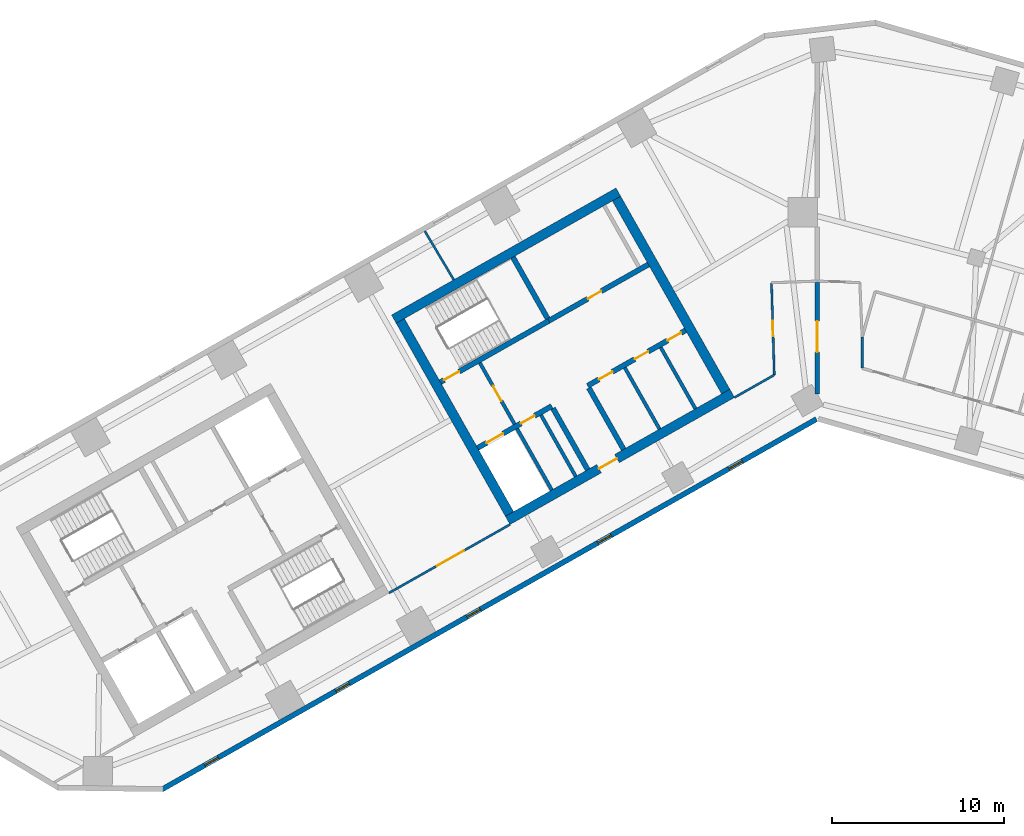
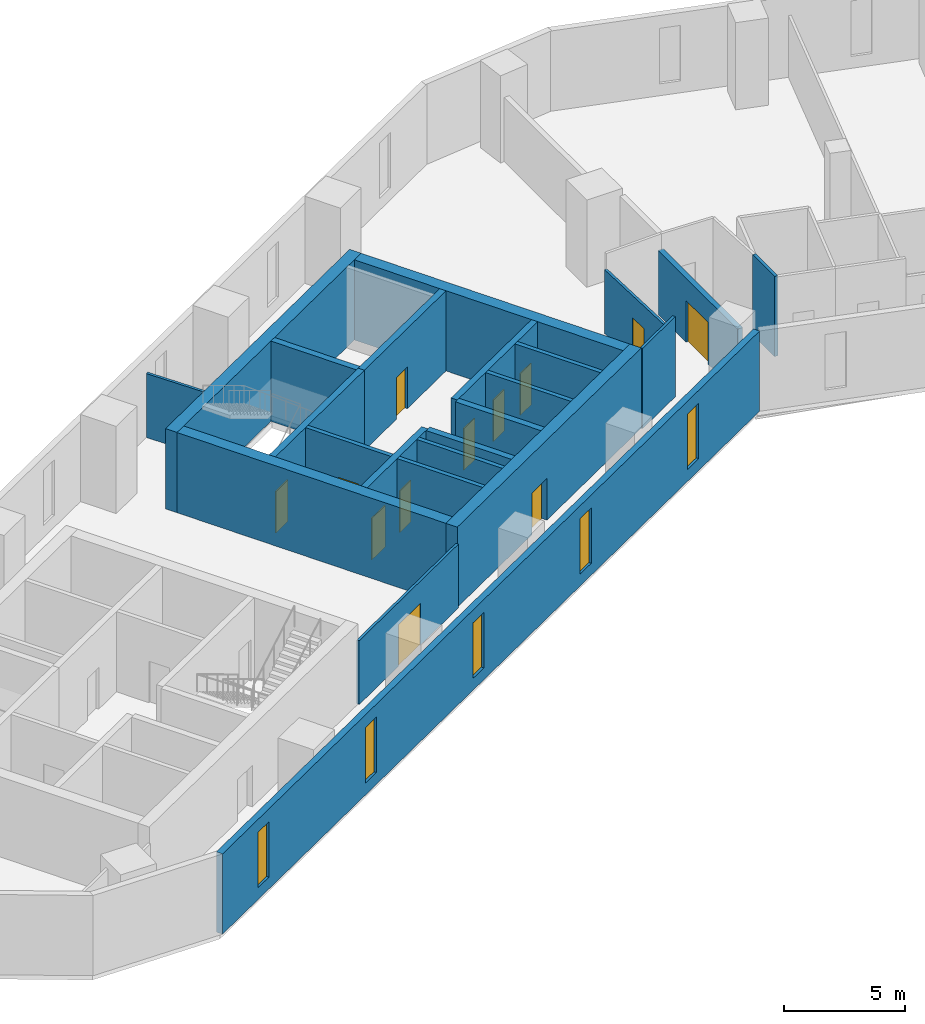
# One storey, part 4 of 10: 23 walls, 12 doors, 5 windows, 17 openings.
"""IFC4 building model written with IfcOpenShell, lengths in metres."""

from ifc_helpers import new_model, si_unit, direction, frame, frame_2d, origin, place, context, subcontext, project, spatial, rectangle, extrude, material, layer, layer_set, type_object, element, fill, save


model = new_model("IFC4")

# Units and contexts
model_context = context("Model", 3, precision=1e-05, world=origin(), true_north=direction((0.0, 1.0)))
body_context = subcontext(model_context, "Body", "Model", "MODEL_VIEW")
ifc_project = project(units=[si_unit("LENGTHUNIT", "METRE"), si_unit("AREAUNIT", "SQUARE_METRE"), si_unit("VOLUMEUNIT", "CUBIC_METRE"), si_unit("PLANEANGLEUNIT", "RADIAN"), si_unit("MASSUNIT", "GRAM", prefix="KILO")], contexts=[model_context])

# Site, building, storey
site_placement = place(None, origin())
site = spatial("IfcSite", under=ifc_project, at=site_placement, CompositionType="ELEMENT")
building_placement = place(site_placement, origin())
building = spatial("IfcBuilding", under=site, at=building_placement, Name="Binnacle Exchange Tower", CompositionType="ELEMENT")
storey_placement = place(building_placement, frame((0.0, 0.0, 145.5)))
storey = spatial("IfcBuildingStorey", under=building, at=storey_placement, Name="L30", CompositionType="ELEMENT", Elevation=145.5)

# Walls
ifc_material_1 = material(Name="Gypsum partition fire rated")
ifc_layer_1 = layer(ifc_material_1, 0.199951171875)
ifc_layer_set_1 = layer_set([ifc_layer_1], Name="Core partition 200")
wall_type_1 = type_object("IfcWallType", Name="Core partition 200", PredefinedType="PARTITIONING", material=ifc_layer_set_1)
wall_1_placement = place(storey_placement, frame((-11.201904296875, 50.96240234375, 0.0), z_axis=(0.0, 0.0, 1.0), x_axis=(0.492428039142, -0.870353161807, 0.0)))
element("IfcWall", 1, at=wall_1_placement, inside=storey, type_object=wall_type_1, Name="Core wall CRWC19", PredefinedType="PARTITIONING", context=body_context, shape_type="SweptSolid", body=[
    extrude(rectangle(XDim=4.10009765625, YDim=0.199951171875, at=frame_2d((2.050048828125, 0.0))), origin(), (0.0, 0.0, 1.0), 4.050048828125),
])
wall_2_placement = place(storey_placement, frame((-9.11279296875, 52.14404296875, 0.0), z_axis=(0.0, 0.0, 1.0), x_axis=(0.492408451753, -0.87036424366, 0.0)))
element("IfcWall", 2, at=wall_2_placement, inside=storey, type_object=wall_type_1, Name="Core wall CRWC22", PredefinedType="PARTITIONING", context=body_context, shape_type="SweptSolid", body=[
    extrude(rectangle(XDim=4.099853515625, YDim=0.199951171875, at=frame_2d((2.0498046875, 0.0))), origin(), (0.0, 0.0, 1.0), 4.050048828125),
])

# Wall, openings, doors
ifc_material_2 = material(Name="Concrete C70/85", Category="concrete")
ifc_layer_2 = layer(ifc_material_2, 0.300048828125)
ifc_layer_set_2 = layer_set([ifc_layer_2], Name="Core wall - front 300")
wall_type_2 = type_object("IfcWallType", Name="Core wall - front 300", PredefinedType="SOLIDWALL", material=ifc_layer_set_2)
wall_3_placement = place(storey_placement, frame((-19.76171875, 46.291748046875, 0.0), z_axis=(0.0, 0.0, 1.0), x_axis=(0.870359758983, 0.49241637863, 0.0)))
wall_3 = element("IfcWall", 3, at=wall_3_placement, inside=storey, type_object=wall_type_2, Name="Core wall CRWC2", PredefinedType="SOLIDWALL", context=body_context, shape_type="SweptSolid", body=[
    extrude(rectangle(XDim=4.9501953125, YDim=0.300048828125, at=frame_2d((2.47509765625, 0.0))), origin(), (0.0, 0.0, 1.0), 4.050048828125),
])
opening_1_placement = place(wall_3_placement, frame((0.60009765625, 0.0, 0.0)))
opening_1 = element("IfcOpeningElement", 4, at=opening_1_placement, cuts=wall_3, Name="Opening LD14", PredefinedType="OPENING", context=body_context, shape_type="SweptSolid", body=[
    extrude(rectangle(XDim=1.10009765625, YDim=2.10009765625, at=frame_2d((0.550048828125, 1.050048828125))), frame((0.0, 0.159912109375, 0.0), z_axis=(0.0, -1.0, 0.0), x_axis=(1.0, 0.0, 0.0)), (0.0, 0.0, 1.0), 0.320068359375),
])
opening_2_placement = place(wall_3_placement, frame((2.89990234375, 0.0, 0.0)))
opening_2 = element("IfcOpeningElement", 5, at=opening_2_placement, cuts=wall_3, Name="Opening DC14", PredefinedType="OPENING", context=body_context, shape_type="SweptSolid", body=[
    extrude(rectangle(XDim=0.89990234375, YDim=2.10009765625, at=frame_2d((0.449951171875, 1.050048828125))), frame((0.0, 0.159912109375, 0.0), z_axis=(0.0, -1.0, 0.0), x_axis=(1.0, 0.0, 0.0)), (0.0, 0.0, 1.0), 0.320068359375),
])
ifc_material_3 = material(Name="Steel door leaf", Category="steel")
door_type_1 = type_object("IfcDoorType", Name="Fire door - lift landing 1100", OperationType="NOTDEFINED", PredefinedType="DOOR", material=ifc_material_3)
door_1_placement = place(opening_1_placement, origin())
door_1 = element("IfcDoor", 6, at=door_1_placement, inside=storey, type_object=door_type_1, Name="Landing door LD14 L30", OperationType="DOUBLE_DOOR_SLIDING", OverallHeight=2.10009765625, OverallWidth=1.10009765625, PredefinedType="DOOR", context=body_context, shape_type="SweptSolid", body=[
    extrude(rectangle(XDim=1.10009765625, YDim=2.10009765625, at=frame_2d((0.550048828125, 1.050048828125))), frame((0.0, 0.02490234375, 0.0), z_axis=(0.0, -1.0, 0.0), x_axis=(1.0, 0.0, 0.0)), (0.0, 0.0, 1.0), 0.050048828125),
])
fill(opening_1, door_1)
door_type_2 = type_object("IfcDoorType", Name="Fire door 900", OperationType="NOTDEFINED", PredefinedType="DOOR", material=ifc_material_3)
door_2_placement = place(opening_2_placement, frame((0.89990234375, 0.0, 0.0), z_axis=(0.0, 0.0, 1.0), x_axis=(-1.0, 0.0, 0.0)))
door_2 = element("IfcDoor", 7, at=door_2_placement, inside=storey, type_object=door_type_2, Name="Core room door ELECTRICAL ROOM", OperationType="SINGLE_SWING_LEFT", OverallHeight=2.10009765625, OverallWidth=0.89990234375, PredefinedType="DOOR", context=body_context, shape_type="SweptSolid", body=[
    extrude(rectangle(XDim=0.89990234375, YDim=2.10009765625, at=frame_2d((0.449951171875, 1.050048828125))), frame((0.0, 0.02490234375, 0.0), z_axis=(0.0, -1.0, 0.0), x_axis=(1.0, 0.0, 0.0)), (0.0, 0.0, 1.0), 0.050048828125),
])
fill(opening_2, door_2)

wall_4_placement = place(storey_placement, frame((-13.364501953125, 49.910888671875, 0.0), z_axis=(0.0, 0.0, 1.0), x_axis=(0.870336435567, 0.492457601144, 0.0)))
wall_4 = element("IfcWall", 8, at=wall_4_placement, inside=storey, type_object=wall_type_2, Name="Core wall CRWC3", PredefinedType="SOLIDWALL", context=body_context, shape_type="SweptSolid", body=[
    extrude(rectangle(XDim=6.550048828125, YDim=0.300048828125, at=frame_2d((3.27490234375, 0.0))), origin(), (0.0, 0.0, 1.0), 4.050048828125),
])
opening_3_placement = place(wall_4_placement, frame((0.75, 0.0, 0.0)))
opening_3 = element("IfcOpeningElement", 9, at=opening_3_placement, cuts=wall_4, Name="Opening DC18", PredefinedType="OPENING", context=body_context, shape_type="SweptSolid", body=[
    extrude(rectangle(XDim=0.89990234375, YDim=2.10009765625, at=frame_2d((0.449951171875, 1.050048828125))), frame((0.0, 0.159912109375, 0.0), z_axis=(0.0, -1.0, 0.0), x_axis=(1.0, 0.0, 0.0)), (0.0, 0.0, 1.0), 0.320068359375),
])
opening_4_placement = place(wall_4_placement, frame((3.14990234375, 0.0, 0.0)))
opening_4 = element("IfcOpeningElement", 10, at=opening_4_placement, cuts=wall_4, Name="Opening DC19", PredefinedType="OPENING", context=body_context, shape_type="SweptSolid", body=[
    extrude(rectangle(XDim=0.89990234375, YDim=2.10009765625, at=frame_2d((0.449951171875, 1.050048828125))), frame((0.0, 0.159912109375, 0.0), z_axis=(0.0, -1.0, 0.0), x_axis=(1.0, 0.0, 0.0)), (0.0, 0.0, 1.0), 0.320068359375),
])
opening_5_placement = place(wall_4_placement, frame((5.35009765625, 0.0, 0.0)))
opening_5 = element("IfcOpeningElement", 11, at=opening_5_placement, cuts=wall_4, Name="Opening DC20", PredefinedType="OPENING", context=body_context, shape_type="SweptSolid", body=[
    extrude(rectangle(XDim=0.89990234375, YDim=2.10009765625, at=frame_2d((0.449951171875, 1.050048828125))), frame((0.0, 0.159912109375, 0.0), z_axis=(0.0, -1.0, 0.0), x_axis=(1.0, 0.0, 0.0)), (0.0, 0.0, 1.0), 0.320068359375),
])
door_3_placement = place(opening_3_placement, frame((0.89990234375, 0.0, 0.0), z_axis=(0.0, 0.0, 1.0), x_axis=(-1.0, 0.0, 0.0)))
door_3 = element("IfcDoor", 12, at=door_3_placement, inside=storey, type_object=door_type_2, Name="Core room door COMMS RISER ROOM", OperationType="SINGLE_SWING_RIGHT", OverallHeight=2.10009765625, OverallWidth=0.89990234375, PredefinedType="DOOR", context=body_context, shape_type="SweptSolid", body=[
    extrude(rectangle(XDim=0.89990234375, YDim=2.10009765625, at=frame_2d((0.449951171875, 1.050048828125))), frame((0.0, 0.02490234375, 0.0), z_axis=(0.0, -1.0, 0.0), x_axis=(1.0, 0.0, 0.0)), (0.0, 0.0, 1.0), 0.050048828125),
])
fill(opening_3, door_3)
door_4_placement = place(opening_4_placement, frame((0.89990234375, 0.0, 0.0), z_axis=(0.0, 0.0, 1.0), x_axis=(-1.0, 0.0, 0.0)))
door_4 = element("IfcDoor", 13, at=door_4_placement, inside=storey, type_object=door_type_2, Name="Core room door CLEANERS STORE", OperationType="SINGLE_SWING_LEFT", OverallHeight=2.10009765625, OverallWidth=0.89990234375, PredefinedType="DOOR", context=body_context, shape_type="SweptSolid", body=[
    extrude(rectangle(XDim=0.89990234375, YDim=2.10009765625, at=frame_2d((0.449951171875, 1.050048828125))), frame((0.0, 0.02490234375, 0.0), z_axis=(0.0, -1.0, 0.0), x_axis=(1.0, 0.0, 0.0)), (0.0, 0.0, 1.0), 0.050048828125),
])
fill(opening_4, door_4)
door_5_placement = place(opening_5_placement, frame((0.89990234375, 0.0, 0.0), z_axis=(0.0, 0.0, 1.0), x_axis=(-1.0, 0.0, 0.0)))
door_5 = element("IfcDoor", 14, at=door_5_placement, inside=storey, type_object=door_type_2, Name="Core room door IT STORE", OperationType="SINGLE_SWING_LEFT", OverallHeight=2.10009765625, OverallWidth=0.89990234375, PredefinedType="DOOR", context=body_context, shape_type="SweptSolid", body=[
    extrude(rectangle(XDim=0.89990234375, YDim=2.10009765625, at=frame_2d((0.449951171875, 1.050048828125))), frame((0.0, 0.02490234375, 0.0), z_axis=(0.0, -1.0, 0.0), x_axis=(1.0, 0.0, 0.0)), (0.0, 0.0, 1.0), 0.050048828125),
])
fill(opening_5, door_5)

# Wall, opening, door
wall_5_placement = place(storey_placement, frame((-15.6181640625, 53.69140625, 0.0), z_axis=(0.0, 0.0, 1.0), x_axis=(0.870367894134, 0.492401999246, 0.0)))
wall_5 = element("IfcWall", 15, at=wall_5_placement, inside=storey, type_object=wall_type_2, Name="Core wall CRWC5", PredefinedType="SOLIDWALL", context=body_context, shape_type="SweptSolid", body=[
    extrude(rectangle(XDim=6.64990234375, YDim=0.300048828125, at=frame_2d((3.324951171875, 0.0))), origin(), (0.0, 0.0, 1.0), 4.050048828125),
])
opening_6_placement = place(wall_5_placement, frame((2.60009765625, 0.0, 0.0)))
opening_6 = element("IfcOpeningElement", 16, at=opening_6_placement, cuts=wall_5, Name="Opening DC10", PredefinedType="OPENING", context=body_context, shape_type="SweptSolid", body=[
    extrude(rectangle(XDim=0.89990234375, YDim=2.10009765625, at=frame_2d((0.449951171875, 1.050048828125))), frame((0.0, 0.159912109375, 0.0), z_axis=(0.0, -1.0, 0.0), x_axis=(1.0, 0.0, 0.0)), (0.0, 0.0, 1.0), 0.320068359375),
])
door_6_placement = place(opening_6_placement, origin())
door_6 = element("IfcDoor", 17, at=door_6_placement, inside=storey, type_object=door_type_2, Name="Core room door SPARES STORE", OperationType="SINGLE_SWING_LEFT", OverallHeight=2.10009765625, OverallWidth=0.89990234375, PredefinedType="DOOR", context=body_context, shape_type="SweptSolid", body=[
    extrude(rectangle(XDim=0.89990234375, YDim=2.10009765625, at=frame_2d((0.449951171875, 1.050048828125))), frame((0.0, 0.02490234375, 0.0), z_axis=(0.0, -1.0, 0.0), x_axis=(1.0, 0.0, 0.0)), (0.0, 0.0, 1.0), 0.050048828125),
])
fill(opening_6, door_6)

# Walls
wall_6_placement = place(storey_placement, frame((-15.37939453125, 48.5986328125, 0.0), z_axis=(0.0, 0.0, 1.0), x_axis=(0.492408451753, -0.87036424366, 0.0)))
element("IfcWall", 18, at=wall_6_placement, inside=storey, type_object=wall_type_2, Name="Core wall CRWC13", PredefinedType="SOLIDWALL", context=body_context, shape_type="SweptSolid", body=[
    extrude(rectangle(XDim=4.099853515625, YDim=0.300048828125, at=frame_2d((2.0498046875, 0.0))), origin(), (0.0, 0.0, 1.0), 4.050048828125),
])
wall_7_placement = place(storey_placement, frame((-13.29052734375, 49.780517578125, 0.0), z_axis=(0.0, 0.0, 1.0), x_axis=(0.492382931784, -0.870378681085, 0.0)))
element("IfcWall", 19, at=wall_7_placement, inside=storey, type_object=wall_type_2, Name="Core wall CRWC15", PredefinedType="SOLIDWALL", context=body_context, shape_type="SweptSolid", body=[
    extrude(rectangle(XDim=4.10009765625, YDim=0.300048828125, at=frame_2d((2.050048828125, 0.0))), origin(), (0.0, 0.0, 1.0), 4.050048828125),
])

# Wall, opening, door
ifc_layer_3 = layer(ifc_material_2, 0.550048828125)
ifc_layer_set_3 = layer_set([ifc_layer_3], Name="Core wall - outer 550")
wall_type_3 = type_object("IfcWallType", Name="Core wall - outer 550", PredefinedType="SOLIDWALL", material=ifc_layer_set_3)
wall_8_placement = place(storey_placement, frame((-18.01220703125, 42.08251953125, 0.0), z_axis=(0.0, 0.0, 1.0), x_axis=(0.870360574057, 0.492414937962, 0.0)))
wall_8 = element("IfcWall", 20, at=wall_8_placement, inside=storey, type_object=wall_type_3, Name="Core wall CRWC1", PredefinedType="SOLIDWALL", context=body_context, shape_type="SweptSolid", body=[
    extrude(rectangle(XDim=15.0, YDim=0.550048828125, at=frame_2d((7.5, 0.0))), origin(), (0.0, 0.0, 1.0), 4.050048828125),
])
opening_7_placement = place(wall_8_placement, frame((6.10009765625, 0.0, 0.0)))
opening_7 = element("IfcOpeningElement", 21, at=opening_7_placement, cuts=wall_8, Name="Opening DC7", PredefinedType="OPENING", context=body_context, shape_type="SweptSolid", body=[
    extrude(rectangle(XDim=1.199951171875, YDim=2.10009765625, at=frame_2d((0.60009765625, 1.050048828125))), frame((0.0, 0.284912109375, 0.0), z_axis=(0.0, -1.0, 0.0), x_axis=(1.0, 0.0, 0.0)), (0.0, 0.0, 1.0), 0.570068359375),
])
door_type_3 = type_object("IfcDoorType", Name="Fire door 1200", OperationType="NOTDEFINED", PredefinedType="DOOR", material=ifc_material_3)
door_7_placement = place(opening_7_placement, frame((1.199951171875, 0.0, 0.0), z_axis=(0.0, 0.0, 1.0), x_axis=(-1.0, 0.0, 0.0)))
door_7 = element("IfcDoor", 22, at=door_7_placement, inside=storey, type_object=door_type_3, Name="Lift lobby entrance door core C", OperationType="SINGLE_SWING_RIGHT", OverallHeight=2.10009765625, OverallWidth=1.199951171875, PredefinedType="DOOR", context=body_context, shape_type="SweptSolid", body=[
    extrude(rectangle(XDim=1.199951171875, YDim=2.10009765625, at=frame_2d((0.60009765625, 1.050048828125))), frame((0.0, 0.02490234375, 0.0), z_axis=(0.0, -1.0, 0.0), x_axis=(1.0, 0.0, 0.0)), (0.0, 0.0, 1.0), 0.050048828125),
])
fill(opening_7, door_7)

# Walls
wall_9_placement = place(storey_placement, frame((-24.63525390625, 53.788818359375, 0.0), z_axis=(0.0, 0.0, 1.0), x_axis=(0.870360574057, 0.492414937962, 0.0)))
element("IfcWall", 23, at=wall_9_placement, inside=storey, type_object=wall_type_3, Name="Core wall CRWC6", PredefinedType="SOLIDWALL", context=body_context, shape_type="SweptSolid", body=[
    extrude(rectangle(XDim=15.0, YDim=0.550048828125, at=frame_2d((7.5, 0.0))), origin(), (0.0, 0.0, 1.0), 4.050048828125),
])
for number, where, z_axis, x_axis, name in (
    (24, (-24.260498046875, 53.684814453125, 0.0), (0.0, 0.0, 1.0), (0.492427022044, -0.870353737259, 0.0), "Core wall CRWC7"),
    (25, (-11.683837890625, 60.80029296875, 0.0), (0.0, 0.0, 1.0), (0.492427022044, -0.870353737259, 0.0), "Core wall CRWC24"),
):
    element("IfcWall", number, at=place(storey_placement, frame(where, z_axis=z_axis, x_axis=x_axis)), inside=storey, type_object=wall_type_3, Name=name, PredefinedType="SOLIDWALL", context=body_context, shape_type="SweptSolid", body=[
        extrude(rectangle(XDim=12.89990234375, YDim=0.550048828125, at=frame_2d((6.449951171875, 0.0))), origin(), (0.0, 0.0, 1.0), 4.050048828125),
    ])

# Wall, opening, door
ifc_layer_4 = layer(ifc_material_2, 0.300048828125)
ifc_layer_set_4 = layer_set([ifc_layer_4], Name="Core wall - stair 300")
wall_type_4 = type_object("IfcWallType", Name="Core wall - stair 300", PredefinedType="SOLIDWALL", material=ifc_layer_set_4)
wall_10_placement = place(storey_placement, frame((-21.92822265625, 50.12109375, 0.0), z_axis=(0.0, 0.0, 1.0), x_axis=(0.870340732628, 0.49245000673, 0.0)))
wall_10 = element("IfcWall", 26, at=wall_10_placement, inside=storey, type_object=wall_type_4, Name="Core wall CRWC4", PredefinedType="SOLIDWALL", context=body_context, shape_type="SweptSolid", body=[
    extrude(rectangle(XDim=7.25, YDim=0.300048828125, at=frame_2d((3.625, 0.0))), origin(), (0.0, 0.0, 1.0), 4.050048828125),
])
opening_8_placement = place(wall_10_placement, frame((0.25, 0.0, 0.0)))
opening_8 = element("IfcOpeningElement", 27, at=opening_8_placement, cuts=wall_10, Name="Opening DC1", PredefinedType="OPENING", context=body_context, shape_type="SweptSolid", body=[
    extrude(rectangle(XDim=1.0, YDim=2.10009765625, at=frame_2d((0.5, 1.050048828125))), frame((0.0, 0.159912109375, 0.0), z_axis=(0.0, -1.0, 0.0), x_axis=(1.0, 0.0, 0.0)), (0.0, 0.0, 1.0), 0.320068359375),
])
door_type_4 = type_object("IfcDoorType", Name="Fire door 1000", OperationType="NOTDEFINED", PredefinedType="DOOR", material=ifc_material_3)
door_8_placement = place(opening_8_placement, origin())
door_8 = element("IfcDoor", 28, at=door_8_placement, inside=storey, type_object=door_type_4, Name="Stair door ST-C1", OperationType="SINGLE_SWING_LEFT", OverallHeight=2.10009765625, OverallWidth=1.0, PredefinedType="DOOR", context=body_context, shape_type="SweptSolid", body=[
    extrude(rectangle(XDim=1.0, YDim=2.10009765625, at=frame_2d((0.5, 1.050048828125))), frame((0.0, 0.02490234375, 0.0), z_axis=(0.0, -1.0, 0.0), x_axis=(1.0, 0.0, 0.0)), (0.0, 0.0, 1.0), 0.050048828125),
])
fill(opening_8, door_8)

# Wall
wall_11_placement = place(storey_placement, frame((-17.7109375, 57.390380859375, 0.0), z_axis=(0.0, 0.0, 1.0), x_axis=(0.492408451753, -0.87036424366, 0.0)))
element("IfcWall", 29, at=wall_11_placement, inside=storey, type_object=wall_type_4, Name="Core wall CRWC14", PredefinedType="SOLIDWALL", context=body_context, shape_type="SweptSolid", body=[
    extrude(rectangle(XDim=4.099853515625, YDim=0.300048828125, at=frame_2d((2.0498046875, 0.0))), origin(), (0.0, 0.0, 1.0), 4.050048828125),
])

# Wall, openings, windows
ifc_material_4 = material(Name="Bronze aluminium cladding", Category="aluminium")
ifc_layer_5 = layer(ifc_material_4, 0.300048828125)
ifc_layer_set_5 = layer_set([ifc_layer_5], Name="External wall - spandrel 300")
wall_type_5 = type_object("IfcWallType", Name="External wall - spandrel 300", PredefinedType="STANDARD", material=ifc_layer_set_5)
wall_12_placement = place(storey_placement, frame((-0.0546875, 47.968994140625, 0.0), z_axis=(0.0, 0.0, 1.0), x_axis=(-0.870355730478, -0.492423499058, 0.0)))
wall_12 = element("IfcWall", 30, at=wall_12_placement, inside=storey, type_object=wall_type_5, Name="External wall EW-F07 L30", PredefinedType="STANDARD", context=body_context, shape_type="SweptSolid", body=[
    extrude(rectangle(XDim=43.750244140625, YDim=0.300048828125, at=frame_2d((21.875, 0.0))), origin(), (0.0, 0.0, 1.0), 4.050048828125),
])
opening_9_placement = place(wall_12_placement, frame((39.976806640625, 0.0, 0.60009765625)))
opening_9 = element("IfcOpeningElement", 31, at=opening_9_placement, cuts=wall_12, Name="Opening WS2", PredefinedType="OPENING", context=body_context, shape_type="SweptSolid", body=[
    extrude(rectangle(XDim=0.89990234375, YDim=2.800048828125, at=frame_2d((0.449951171875, 1.39990234375))), frame((0.0, 0.159912109375, 0.0), z_axis=(0.0, -1.0, 0.0), x_axis=(1.0, 0.0, 0.0)), (0.0, 0.0, 1.0), 0.320068359375),
])
opening_10_placement = place(wall_12_placement, frame((31.222412109375, 0.0, 0.60009765625)))
opening_10 = element("IfcOpeningElement", 32, at=opening_10_placement, cuts=wall_12, Name="Opening WS2", PredefinedType="OPENING", context=body_context, shape_type="SweptSolid", body=[
    extrude(rectangle(XDim=0.89990234375, YDim=2.800048828125, at=frame_2d((0.449951171875, 1.39990234375))), frame((0.0, 0.159912109375, 0.0), z_axis=(0.0, -1.0, 0.0), x_axis=(1.0, 0.0, 0.0)), (0.0, 0.0, 1.0), 0.320068359375),
])
opening_11_placement = place(wall_12_placement, frame((22.4677734375, 0.0, 0.60009765625)))
opening_11 = element("IfcOpeningElement", 33, at=opening_11_placement, cuts=wall_12, Name="Opening WS2", PredefinedType="OPENING", context=body_context, shape_type="SweptSolid", body=[
    extrude(rectangle(XDim=0.89990234375, YDim=2.800048828125, at=frame_2d((0.449951171875, 1.39990234375))), frame((0.0, 0.159912109375, 0.0), z_axis=(0.0, -1.0, 0.0), x_axis=(1.0, 0.0, 0.0)), (0.0, 0.0, 1.0), 0.320068359375),
])
opening_12_placement = place(wall_12_placement, frame((13.713134765625, 0.0, 0.60009765625)))
opening_12 = element("IfcOpeningElement", 34, at=opening_12_placement, cuts=wall_12, Name="Opening WS2", PredefinedType="OPENING", context=body_context, shape_type="SweptSolid", body=[
    extrude(rectangle(XDim=0.89990234375, YDim=2.800048828125, at=frame_2d((0.449951171875, 1.39990234375))), frame((0.0, 0.159912109375, 0.0), z_axis=(0.0, -1.0, 0.0), x_axis=(1.0, 0.0, 0.0)), (0.0, 0.0, 1.0), 0.320068359375),
])
opening_13_placement = place(wall_12_placement, frame((4.958740234375, 0.0, 0.60009765625)))
opening_13 = element("IfcOpeningElement", 35, at=opening_13_placement, cuts=wall_12, Name="Opening WS2", PredefinedType="OPENING", context=body_context, shape_type="SweptSolid", body=[
    extrude(rectangle(XDim=0.89990234375, YDim=2.800048828125, at=frame_2d((0.449951171875, 1.39990234375))), frame((0.0, 0.159912109375, 0.0), z_axis=(0.0, -1.0, 0.0), x_axis=(1.0, 0.0, 0.0)), (0.0, 0.0, 1.0), 0.320068359375),
])
ifc_material_5 = material(Name="Bronze anodised aluminium frame", Category="aluminium")
window_type = type_object("IfcWindowType", Name="WS2 WINDOW 900x2800", PartitioningType="SINGLE_PANEL", PredefinedType="WINDOW", material=ifc_material_5)
window_1_placement = place(opening_9_placement, origin())
window_1 = element("IfcWindow", 36, at=window_1_placement, inside=storey, type_object=window_type, Name="Window WS2 L30", OverallHeight=2.800048828125, OverallWidth=0.89990234375, PartitioningType="SINGLE_PANEL", PredefinedType="WINDOW", context=body_context, shape_type="SweptSolid", body=[
    extrude(rectangle(XDim=0.89990234375, YDim=2.800048828125, at=frame_2d((0.449951171875, 1.39990234375))), frame((0.0, 0.030029296875, 0.0), z_axis=(0.0, -1.0, 0.0), x_axis=(1.0, 0.0, 0.0)), (0.0, 0.0, 1.0), 0.06005859375),
])
fill(opening_9, window_1)
window_2_placement = place(opening_10_placement, origin())
window_2 = element("IfcWindow", 37, at=window_2_placement, inside=storey, type_object=window_type, Name="Window WS2 L30", OverallHeight=2.800048828125, OverallWidth=0.89990234375, PartitioningType="SINGLE_PANEL", PredefinedType="WINDOW", context=body_context, shape_type="SweptSolid", body=[
    extrude(rectangle(XDim=0.89990234375, YDim=2.800048828125, at=frame_2d((0.449951171875, 1.39990234375))), frame((0.0, 0.030029296875, 0.0), z_axis=(0.0, -1.0, 0.0), x_axis=(1.0, 0.0, 0.0)), (0.0, 0.0, 1.0), 0.06005859375),
])
fill(opening_10, window_2)
window_3_placement = place(opening_11_placement, origin())
window_3 = element("IfcWindow", 38, at=window_3_placement, inside=storey, type_object=window_type, Name="Window WS2 L30", OverallHeight=2.800048828125, OverallWidth=0.89990234375, PartitioningType="SINGLE_PANEL", PredefinedType="WINDOW", context=body_context, shape_type="SweptSolid", body=[
    extrude(rectangle(XDim=0.89990234375, YDim=2.800048828125, at=frame_2d((0.449951171875, 1.39990234375))), frame((0.0, 0.030029296875, 0.0), z_axis=(0.0, -1.0, 0.0), x_axis=(1.0, 0.0, 0.0)), (0.0, 0.0, 1.0), 0.06005859375),
])
fill(opening_11, window_3)
window_4_placement = place(opening_12_placement, origin())
window_4 = element("IfcWindow", 39, at=window_4_placement, inside=storey, type_object=window_type, Name="Window WS2 L30", OverallHeight=2.800048828125, OverallWidth=0.89990234375, PartitioningType="SINGLE_PANEL", PredefinedType="WINDOW", context=body_context, shape_type="SweptSolid", body=[
    extrude(rectangle(XDim=0.89990234375, YDim=2.800048828125, at=frame_2d((0.449951171875, 1.39990234375))), frame((0.0, 0.030029296875, 0.0), z_axis=(0.0, -1.0, 0.0), x_axis=(1.0, 0.0, 0.0)), (0.0, 0.0, 1.0), 0.06005859375),
])
fill(opening_12, window_4)
window_5_placement = place(opening_13_placement, origin())
window_5 = element("IfcWindow", 40, at=window_5_placement, inside=storey, type_object=window_type, Name="Window WS2 L30", OverallHeight=2.800048828125, OverallWidth=0.89990234375, PartitioningType="SINGLE_PANEL", PredefinedType="WINDOW", context=body_context, shape_type="SweptSolid", body=[
    extrude(rectangle(XDim=0.89990234375, YDim=2.800048828125, at=frame_2d((0.449951171875, 1.39990234375))), frame((0.0, 0.030029296875, 0.0), z_axis=(0.0, -1.0, 0.0), x_axis=(1.0, 0.0, 0.0)), (0.0, 0.0, 1.0), 0.06005859375),
])
fill(opening_13, window_5)

# Wall, opening, door
ifc_material_6 = material(Name="Concrete fire wall C30/37", Category="concrete")
ifc_layer_6 = layer(ifc_material_6, 0.25)
ifc_layer_set_6 = layer_set([ifc_layer_6], Name="Fire wall - compartment 250")
wall_type_6 = type_object("IfcWallType", Name="Fire wall - compartment 250", PredefinedType="PARTITIONING", material=ifc_layer_set_6)
wall_13_placement = place(storey_placement, frame((0.0, 49.422119140625, 0.0), z_axis=(0.0, 0.0, 1.0), x_axis=(0.0, 1.0, 0.0)))
wall_13 = element("IfcWall", 41, at=wall_13_placement, inside=storey, type_object=wall_type_6, Name="Fire Wall W08", PredefinedType="PARTITIONING", context=body_context, shape_type="SweptSolid", body=[
    extrude(rectangle(XDim=6.577880859375, YDim=0.25, at=frame_2d((3.2890625, 0.0))), origin(), (0.0, 0.0, 1.0), 3.22998046875),
])
opening_14_placement = place(wall_13_placement, frame((2.449951171875, 0.0, 0.0)))
opening_14 = element("IfcOpeningElement", 42, at=opening_14_placement, cuts=wall_13, Name="Opening DL28-11", PredefinedType="OPENING", context=body_context, shape_type="SweptSolid", body=[
    extrude(rectangle(XDim=1.800048828125, YDim=2.10009765625, at=frame_2d((0.89990234375, 1.050048828125))), frame((0.0, 0.135009765625, 0.0), z_axis=(0.0, -1.0, 0.0), x_axis=(1.0, 0.0, 0.0)), (0.0, 0.0, 1.0), 0.27001953125),
])
door_type_5 = type_object("IfcDoorType", Name="Fire door 1800", OperationType="NOTDEFINED", PredefinedType="DOOR", material=ifc_material_3)
door_9_placement = place(opening_14_placement, origin())
door_9 = element("IfcDoor", 43, at=door_9_placement, inside=storey, type_object=door_type_5, Name="Door DL28-11", OperationType="DOUBLE_DOOR_SINGLE_SWING", OverallHeight=2.10009765625, OverallWidth=1.800048828125, PredefinedType="DOOR", context=body_context, shape_type="SweptSolid", body=[
    extrude(rectangle(XDim=1.800048828125, YDim=2.10009765625, at=frame_2d((0.89990234375, 1.050048828125))), frame((0.0, 0.02490234375, 0.0), z_axis=(0.0, -1.0, 0.0), x_axis=(1.0, 0.0, 0.0)), (0.0, 0.0, 1.0), 0.050048828125),
])
fill(opening_14, door_9)

ifc_material_7 = material(Name="Masonry block wall", Category="masonry")
ifc_layer_7 = layer(ifc_material_7, 0.199951171875)
ifc_layer_set_7 = layer_set([ifc_layer_7], Name="Fire wall - vestibule 200")
wall_type_7 = type_object("IfcWallType", Name="Fire wall - vestibule 200", PredefinedType="PARTITIONING", material=ifc_layer_set_7)
wall_14_placement = place(storey_placement, frame((-19.635009765625, 51.246337890625, 0.0), z_axis=(0.0, 0.0, 1.0), x_axis=(0.492408451753, -0.87036424366, 0.0)))
wall_14 = element("IfcWall", 44, at=wall_14_placement, inside=storey, type_object=wall_type_7, Name="Core wall CRWC10", PredefinedType="PARTITIONING", context=body_context, shape_type="SweptSolid", body=[
    extrude(rectangle(XDim=4.099853515625, YDim=0.199951171875, at=frame_2d((2.0498046875, 0.0))), origin(), (0.0, 0.0, 1.0), 4.050048828125),
])
opening_15_placement = place(wall_14_placement, frame((1.550048828125, 0.0, 0.0)))
opening_15 = element("IfcOpeningElement", 45, at=opening_15_placement, cuts=wall_14, Name="Opening DC3", PredefinedType="OPENING", context=body_context, shape_type="SweptSolid", body=[
    extrude(rectangle(XDim=1.0, YDim=2.10009765625, at=frame_2d((0.5, 1.050048828125))), frame((0.0, 0.10986328125, 0.0), z_axis=(0.0, -1.0, 0.0), x_axis=(1.0, 0.0, 0.0)), (0.0, 0.0, 1.0), 0.219970703125),
])
door_10_placement = place(opening_15_placement, frame((1.0, 0.0, 0.0), z_axis=(0.0, 0.0, 1.0), x_axis=(-1.0, 0.0, 0.0)))
door_10 = element("IfcDoor", 46, at=door_10_placement, inside=storey, type_object=door_type_4, Name="Vestibule door VEST-W", OperationType="SINGLE_SWING_RIGHT", OverallHeight=2.10009765625, OverallWidth=1.0, PredefinedType="DOOR", context=body_context, shape_type="SweptSolid", body=[
    extrude(rectangle(XDim=1.0, YDim=2.10009765625, at=frame_2d((0.5, 1.050048828125))), frame((0.0, 0.02490234375, 0.0), z_axis=(0.0, -1.0, 0.0), x_axis=(1.0, 0.0, 0.0)), (0.0, 0.0, 1.0), 0.050048828125),
])
fill(opening_15, door_10)

# Wall
ifc_layer_8 = layer(ifc_material_1, 0.14990234375)
ifc_layer_set_8 = layer_set([ifc_layer_8], Name="Fire-rated partition 150")
wall_type_8 = type_object("IfcWallType", Name="Fire-rated partition 150", PredefinedType="PARTITIONING", material=ifc_layer_set_8)
wall_15_placement = place(storey_placement, frame((2.60107421875, 50.931884765625, 0.0), z_axis=(0.0, 0.0, 1.0), x_axis=(0.001073104681, 0.999999424223, 0.0)))
element("IfcWall", 47, at=wall_15_placement, inside=storey, type_object=wall_type_8, Name="Partition W13", PredefinedType="PARTITIONING", context=body_context, shape_type="SweptSolid", body=[
    extrude(rectangle(XDim=1.820068359375, YDim=0.14990234375, at=frame_2d((0.91015625, 0.0))), origin(), (0.0, 0.0, 1.0), 4.050048828125),
])

# Wall, opening, door
ifc_material_8 = material(Name="Gypsum partition")
ifc_layer_9 = layer(ifc_material_8, 0.125)
ifc_layer_set_9 = layer_set([ifc_layer_9], Name="Partition 125")
wall_type_9 = type_object("IfcWallType", Name="Partition 125", PredefinedType="PARTITIONING", material=ifc_layer_set_9)
wall_16_placement = place(storey_placement, frame((-24.9189453125, 37.85888671875, 0.0), z_axis=(0.0, 0.0, 1.0), x_axis=(0.870357635969, 0.492420131098, 0.0)))
wall_16 = element("IfcWall", 48, at=wall_16_placement, inside=storey, type_object=wall_type_9, Name="Partition W03", PredefinedType="PARTITIONING", context=body_context, shape_type="SweptSolid", body=[
    extrude(rectangle(XDim=8.0908203125, YDim=0.125, at=frame_2d((4.04541015625, 0.0))), origin(), (0.0, 0.0, 1.0), 3.221923828125),
])
opening_16_placement = place(wall_16_placement, frame((3.199951171875, 0.0, 0.0)))
opening_16 = element("IfcOpeningElement", 49, at=opening_16_placement, cuts=wall_16, Name="Opening DL28-01", PredefinedType="OPENING", context=body_context, shape_type="SweptSolid", body=[
    extrude(rectangle(XDim=1.800048828125, YDim=2.10009765625, at=frame_2d((0.89990234375, 1.050048828125))), frame((0.0, 0.072509765625, 0.0), z_axis=(0.0, -1.0, 0.0), x_axis=(1.0, 0.0, 0.0)), (0.0, 0.0, 1.0), 0.14501953125),
])
ifc_material_9 = material(Name="Timber door leaf", Category="wood")
door_type_6 = type_object("IfcDoorType", Name="Double door 1800", OperationType="NOTDEFINED", PredefinedType="DOOR", material=ifc_material_9)
door_11_placement = place(opening_16_placement, origin())
door_11 = element("IfcDoor", 50, at=door_11_placement, inside=storey, type_object=door_type_6, Name="Door DL28-01", OperationType="DOUBLE_DOOR_SINGLE_SWING", OverallHeight=2.10009765625, OverallWidth=1.800048828125, PredefinedType="DOOR", context=body_context, shape_type="SweptSolid", body=[
    extrude(rectangle(XDim=1.800048828125, YDim=2.10009765625, at=frame_2d((0.89990234375, 1.050048828125))), frame((0.0, 0.02490234375, 0.0), z_axis=(0.0, -1.0, 0.0), x_axis=(1.0, 0.0, 0.0)), (0.0, 0.0, 1.0), 0.050048828125),
])
fill(opening_16, door_11)

# Walls
wall_17_placement = place(storey_placement, frame((-22.8349609375, 58.907958984375, 0.0), z_axis=(0.0, 0.0, 1.0), x_axis=(0.511113859879, -0.859513014584, 0.0)))
element("IfcWall", 51, at=wall_17_placement, inside=storey, type_object=wall_type_9, Name="Partition W04", PredefinedType="PARTITIONING", context=body_context, shape_type="SweptSolid", body=[
    extrude(rectangle(XDim=3.294921875, YDim=0.125, at=frame_2d((1.6474609375, 0.0))), origin(), (0.0, 0.0, 1.0), 3.22998046875),
])
wall_18_placement = place(storey_placement, frame((-4.821044921875, 49.22998046875, 0.0), z_axis=(0.0, 0.0, 1.0), x_axis=(0.870371217631, 0.492396124598, 0.0)))
element("IfcWall", 52, at=wall_18_placement, inside=storey, type_object=wall_type_9, Name="Partition W05", PredefinedType="PARTITIONING", context=body_context, shape_type="SweptSolid", body=[
    extrude(rectangle(XDim=2.65869140625, YDim=0.125, at=frame_2d((1.329345703125, 0.0))), origin(), (0.0, 0.0, 1.0), 4.050048828125),
])

# Wall, opening, door
wall_19_placement = place(storey_placement, frame((-2.669921875, 55.904052734375, 0.0), z_axis=(0.0, 0.0, 1.0), x_axis=(0.030338701418, -0.999539675649, 0.0)))
wall_19 = element("IfcWall", 53, at=wall_19_placement, inside=storey, type_object=wall_type_9, Name="Partition W06", PredefinedType="PARTITIONING", context=body_context, shape_type="SweptSolid", body=[
    extrude(rectangle(XDim=5.367431640625, YDim=0.125, at=frame_2d((2.68359375, 0.0))), origin(), (0.0, 0.0, 1.0), 3.221923828125),
])
opening_17_placement = place(wall_19_placement, frame((2.199951171875, 0.0, 0.0)))
opening_17 = element("IfcOpeningElement", 54, at=opening_17_placement, cuts=wall_19, Name="Opening DL28-02", PredefinedType="OPENING", context=body_context, shape_type="SweptSolid", body=[
    extrude(rectangle(XDim=0.89990234375, YDim=2.10009765625, at=frame_2d((0.449951171875, 1.050048828125))), frame((0.0, 0.072509765625, 0.0), z_axis=(0.0, -1.0, 0.0), x_axis=(1.0, 0.0, 0.0)), (0.0, 0.0, 1.0), 0.14501953125),
])
door_type_7 = type_object("IfcDoorType", Name="Door 900", OperationType="NOTDEFINED", PredefinedType="DOOR", material=ifc_material_9)
door_12_placement = place(opening_17_placement, frame((0.89990234375, 0.0, 0.0), z_axis=(0.0, 0.0, 1.0), x_axis=(-1.0, 0.0, 0.0)))
door_12 = element("IfcDoor", 55, at=door_12_placement, inside=storey, type_object=door_type_7, Name="Door DL28-02", OperationType="SINGLE_SWING_RIGHT", OverallHeight=2.10009765625, OverallWidth=0.89990234375, PredefinedType="DOOR", context=body_context, shape_type="SweptSolid", body=[
    extrude(rectangle(XDim=0.89990234375, YDim=2.10009765625, at=frame_2d((0.449951171875, 1.050048828125))), frame((0.0, 0.02490234375, 0.0), z_axis=(0.0, -1.0, 0.0), x_axis=(1.0, 0.0, 0.0)), (0.0, 0.0, 1.0), 0.050048828125),
])
fill(opening_17, door_12)

# Walls
ifc_layer_10 = layer(ifc_material_7, 0.199951171875)
ifc_layer_set_10 = layer_set([ifc_layer_10], Name="Riser wall 200")
wall_type_10 = type_object("IfcWallType", Name="Riser wall 200", PredefinedType="SOLIDWALL", material=ifc_layer_set_10)
wall_20_placement = place(storey_placement, frame((-16.07568359375, 48.20458984375, 0.0), z_axis=(0.0, 0.0, 1.0), x_axis=(0.492408451753, -0.87036424366, 0.0)))
element("IfcWall", 56, at=wall_20_placement, inside=storey, type_object=wall_type_10, Name="Core wall CRWC12", PredefinedType="SOLIDWALL", context=body_context, shape_type="SweptSolid", body=[
    extrude(rectangle(XDim=4.099853515625, YDim=0.199951171875, at=frame_2d((2.0498046875, 0.0))), origin(), (0.0, 0.0, 1.0), 4.050048828125),
])
ifc_layer_11 = layer(ifc_material_7, 0.199951171875)
ifc_layer_set_11 = layer_set([ifc_layer_11], Name="Shaft wall 200")
wall_type_11 = type_object("IfcWallType", Name="Shaft wall 200", PredefinedType="SOLIDWALL", material=ifc_layer_set_11)
wall_21_placement = place(storey_placement, frame((-17.468505859375, 47.416748046875, 0.0), z_axis=(0.0, 0.0, 1.0), x_axis=(0.492453559952, -0.87033872216, 0.0)))
element("IfcWall", 57, at=wall_21_placement, inside=storey, type_object=wall_type_11, Name="Core wall CRWC9", PredefinedType="SOLIDWALL", context=body_context, shape_type="SweptSolid", body=[
    extrude(rectangle(XDim=4.099853515625, YDim=0.199951171875, at=frame_2d((2.0498046875, 0.0))), origin(), (0.0, 0.0, 1.0), 4.050048828125),
])

save(model, "model.ifc")
